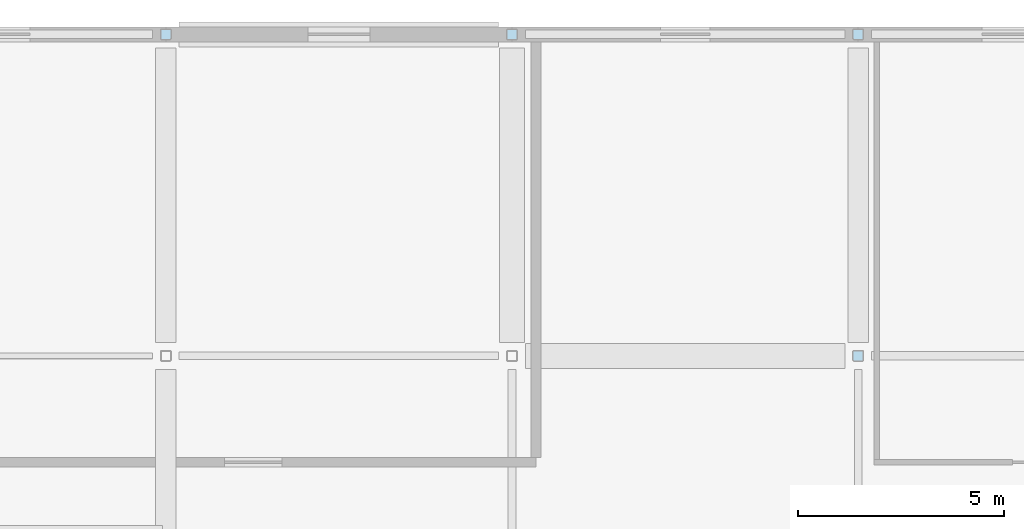
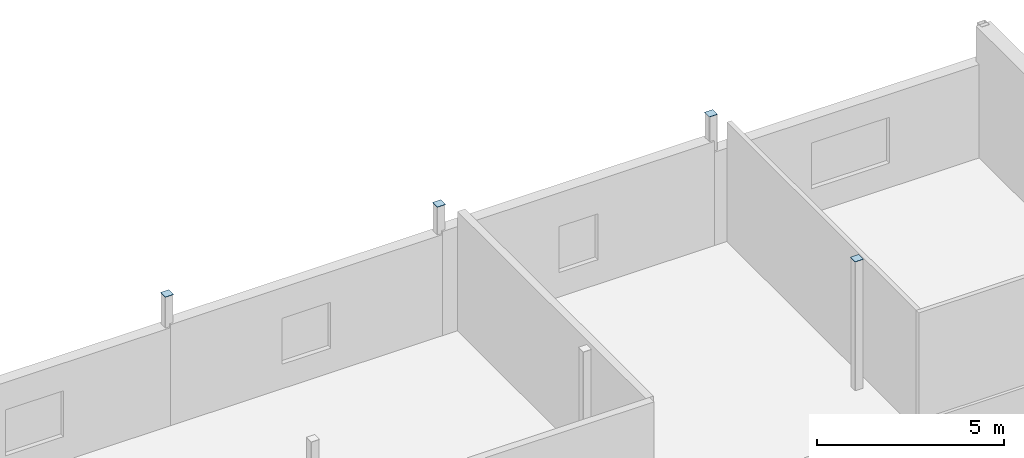
# One storey, part 50 of 64: 4 plates.
"""IFC4 building model written with IfcOpenShell, lengths in metres."""

from ifc_helpers import new_model, si_unit, derived_unit, direction, frame, origin, origin_2d, place, context, subcontext, project, spatial, rectangle, extrude, material, layer, layer_set, type_object, element, save


model = new_model("IFC4")

# Units and contexts
model_context = context("Model", 3, precision=1e-05, world=origin(), true_north=direction((0.0, 1.0)))
body_context = subcontext(model_context, "Body", "Model", "MODEL_VIEW")
ifc_project = project(units=[si_unit("LENGTHUNIT", "METRE"), si_unit("AREAUNIT", "SQUARE_METRE"), si_unit("VOLUMEUNIT", "CUBIC_METRE"), si_unit("PLANEANGLEUNIT", "RADIAN"), si_unit("MASSUNIT", "GRAM", prefix="KILO"), derived_unit("THERMALTRANSMITTANCEUNIT", [(si_unit("POWERUNIT", "WATT"), 1), (si_unit("LENGTHUNIT", "METRE"), -2), (si_unit("THERMODYNAMICTEMPERATUREUNIT", "KELVIN"), -1)])], contexts=[model_context])

# Site, building, storey
site_placement = place(None, origin())
site = spatial("IfcSite", under=ifc_project, at=site_placement, CompositionType="ELEMENT")
building_placement = place(site_placement, origin())
building = spatial("IfcBuilding", under=site, at=building_placement, Name="Barrovel Congress Hotel", CompositionType="ELEMENT")
storey_placement = place(building_placement, frame((0.0, 0.0, 14.10009765625)))
storey = spatial("IfcBuildingStorey", under=building, at=storey_placement, Name="L03", CompositionType="ELEMENT", Elevation=14.10009765625)

# Plates
ifc_material = material(Name="Steel ASTM A992 Grade 50", Category="steel")
ifc_layer = layer(ifc_material, 0.011962890625)
ifc_layer_set = layer_set([ifc_layer], Name="Steel ASTM A992 Grade 50")
plate_type = type_object("IfcPlateType", Name="EC-12", PredefinedType="SHEET", material=ifc_layer_set)
for number, where, z_axis, x_axis, name in (
    (1, (151.199951171875, 112.800048828125, 4.19970703125), (0.0, 0.0, 1.0), (1.0, 0.0, 0.0), "End Cap Plate COL:L03:151.2:112.8 end"),
    (2, (159.60009765625, 112.800048828125, 4.19970703125), (0.0, 0.0, 1.0), (1.0, 0.0, 0.0), "End Cap Plate COL:L03:159.6:112.8 end"),
    (3, (168.0, 105.0, 4.19970703125), (0.0, 0.0, 1.0), (1.0, 0.0, 0.0), "End Cap Plate COL:L03:168.0:105.0 end"),
    (4, (168.0, 112.800048828125, 4.19970703125), (0.0, 0.0, 1.0), (1.0, 0.0, 0.0), "End Cap Plate COL:L03:168.0:112.8 end"),
):
    element("IfcPlate", number, at=place(storey_placement, frame(where, z_axis=z_axis, x_axis=x_axis)), inside=storey, type_object=plate_type, Name=name, PredefinedType="SHEET", context=body_context, shape_type="SweptSolid", body=[
        extrude(rectangle(XDim=0.25390625, YDim=0.25390625, at=origin_2d()), origin(), (0.0, 0.0, 1.0), 0.011962890625),
    ])

save(model, "model.ifc")
